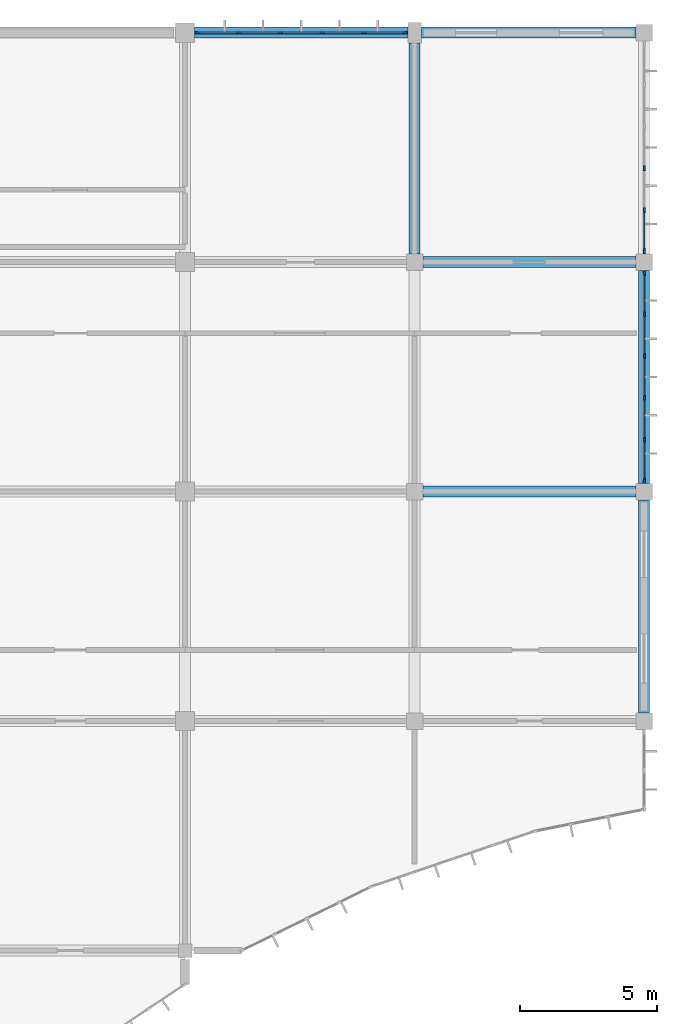
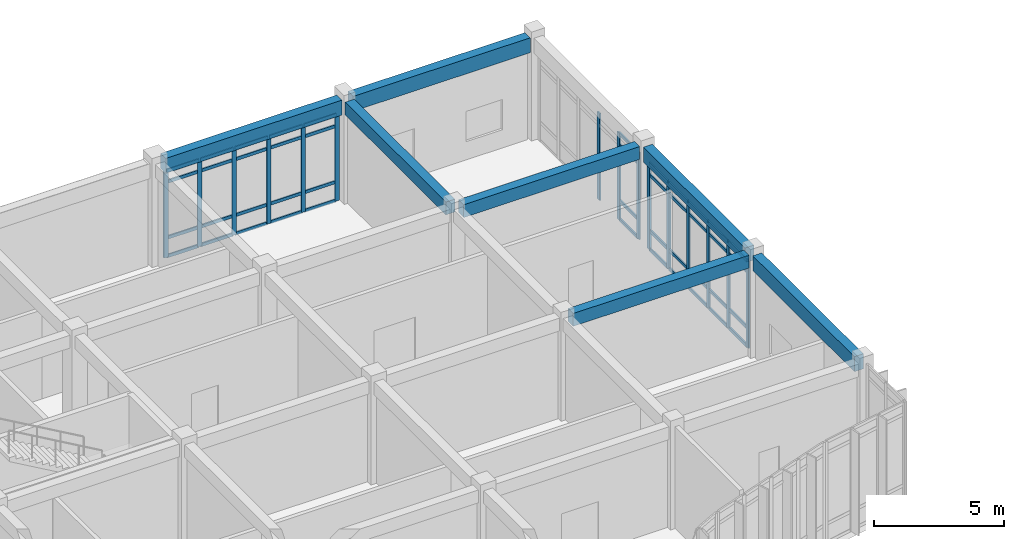
# One storey, part 64 of 134: 59 members, 7 beams, 3 elements without a shape of their own.
"""IFC4 building model written with IfcOpenShell, lengths in metres."""

from ifc_helpers import new_model, si_unit, direction, frame, origin, origin_2d, place, context, subcontext, project, spatial, rectangle, extrude, material, layer, layer_set, material_profile, profile_set, type_object, element, aggregate, save


model = new_model("IFC4")

# Units and contexts
model_context = context("Model", 3, precision=1e-05, world=origin(), true_north=direction((0.0, 1.0)))
body_context = subcontext(model_context, "Body", "Model", "MODEL_VIEW")
ifc_project = project(units=[si_unit("LENGTHUNIT", "METRE"), si_unit("AREAUNIT", "SQUARE_METRE"), si_unit("VOLUMEUNIT", "CUBIC_METRE"), si_unit("PLANEANGLEUNIT", "RADIAN"), si_unit("MASSUNIT", "GRAM", prefix="KILO")], contexts=[model_context])

# Site, building, storey
site_placement = place(None, origin())
site = spatial("IfcSite", under=ifc_project, at=site_placement, CompositionType="ELEMENT")
building_placement = place(site_placement, origin())
building = spatial("IfcBuilding", under=site, at=building_placement, Name="Bramfleet General Hospital", CompositionType="ELEMENT")
storey_placement = place(building_placement, frame((0.0, 0.0, 9.300048828125)))
storey = spatial("IfcBuildingStorey", under=building, at=storey_placement, Name="L02", CompositionType="ELEMENT", Elevation=9.300048828125)

# Beams
ifc_material_1 = material(Name="Concrete C35/45", Category="concrete")
ifc_material_profile_1 = material_profile(ifc_material_1, rectangle(XDim=0.39990234375, YDim=0.60009765625, at=origin_2d()), Name="RC BM 600x400")
ifc_profile_set_1 = profile_set([ifc_material_profile_1], Name="Concrete C35/45")
beam_type_1 = type_object("IfcBeamType", Name="BM-RC600", PredefinedType="BEAM", material=ifc_profile_set_1)
for number, where, z_axis, x_axis, name in (
    (1, (159.89990234375, 100.800048828125, 4.47998046875), (1.0, 0.0, 0.0), (0.0, 1.0, 0.0), "L02 Grid Beam X 19-12"),
    (2, (159.89990234375, 109.199951171875, 4.47998046875), (1.0, 0.0, 0.0), (0.0, 1.0, 0.0), "L02 Grid Beam X 19-13"),
):
    element("IfcBeam", number, at=place(storey_placement, frame(where, z_axis=z_axis, x_axis=x_axis)), inside=storey, type_object=beam_type_1, Name=name, PredefinedType="BEAM", context=body_context, shape_type="SweptSolid", body=[
        extrude(rectangle(XDim=0.39990234375, YDim=0.60009765625, at=origin_2d()), origin(), (0.0, 0.0, 1.0), 7.800048828125),
    ])
beam_1_placement = place(storey_placement, frame((159.60009765625, 109.5, 4.47998046875), z_axis=(0.0, 1.0, 0.0), x_axis=(-1.0, 0.0, 0.0)))
element("IfcBeam", 3, at=beam_1_placement, inside=storey, type_object=beam_type_1, Name="L02 Grid Beam Y 19-13", PredefinedType="BEAM", context=body_context, shape_type="SweptSolid", body=[
    extrude(rectangle(XDim=0.39990234375, YDim=0.60009765625, at=origin_2d()), origin(), (0.0, 0.0, 1.0), 7.72509765625),
])
ifc_material_profile_2 = material_profile(ifc_material_1, rectangle(XDim=0.39990234375, YDim=0.699951171875, at=origin_2d()), Name="RC SP 700x400")
ifc_profile_set_2 = profile_set([ifc_material_profile_2], Name="Concrete C35/45")
beam_type_2 = type_object("IfcBeamType", Name="BM-SP700", PredefinedType="SPANDREL", material=ifc_profile_set_2)
beam_2_placement = place(storey_placement, frame((151.550048828125, 117.60009765625, 4.429931640625), z_axis=(1.0, 0.0, 0.0), x_axis=(0.0, 1.0, 0.0)))
element("IfcBeam", 4, at=beam_2_placement, inside=storey, type_object=beam_type_2, Name="L02 Grid Beam X 18-14", PredefinedType="SPANDREL", context=body_context, shape_type="SweptSolid", body=[
    extrude(rectangle(XDim=0.39990234375, YDim=0.699951171875, at=origin_2d()), origin(), (0.0, 0.0, 1.0), 7.800048828125),
])
beam_3_placement = place(storey_placement, frame((159.85009765625, 117.60009765625, 4.429931640625), z_axis=(1.0, 0.0, 0.0), x_axis=(0.0, 1.0, 0.0)))
element("IfcBeam", 5, at=beam_3_placement, inside=storey, type_object=beam_type_2, Name="L02 Grid Beam X 19-14", PredefinedType="SPANDREL", context=body_context, shape_type="SweptSolid", body=[
    extrude(rectangle(XDim=0.39990234375, YDim=0.699951171875, at=origin_2d()), origin(), (0.0, 0.0, 1.0), 7.849853515625),
])
beam_4_placement = place(storey_placement, frame((168.0, 92.699951171875, 4.429931640625), z_axis=(0.0, 1.0, 0.0), x_axis=(-1.0, 0.0, 0.0)))
element("IfcBeam", 6, at=beam_4_placement, inside=storey, type_object=beam_type_2, Name="L02 Grid Beam Y 20-11", PredefinedType="SPANDREL", context=body_context, shape_type="SweptSolid", body=[
    extrude(rectangle(XDim=0.39990234375, YDim=0.699951171875, at=origin_2d()), origin(), (0.0, 0.0, 1.0), 7.800048828125),
])
beam_5_placement = place(storey_placement, frame((168.0, 101.10009765625, 4.429931640625), z_axis=(0.0, 1.0, 0.0), x_axis=(-1.0, 0.0, 0.0)))
element("IfcBeam", 7, at=beam_5_placement, inside=storey, type_object=beam_type_2, Name="L02 Grid Beam Y 20-12", PredefinedType="SPANDREL", context=body_context, shape_type="SweptSolid", body=[
    extrude(rectangle(XDim=0.39990234375, YDim=0.699951171875, at=origin_2d()), origin(), (0.0, 0.0, 1.0), 7.7998046875),
])

# Curtain wall, members
ifc_material_2 = material(Name="Anodised aluminium and low-E triple glazing", Category="aluminium")
ifc_layer_1 = layer(ifc_material_2, 0.179931640625, Name="CWT-CW-09")
ifc_layer_set_1 = layer_set([ifc_layer_1], Name="Anodised aluminium and low-E triple glazing")
curtain_wall_type_1 = type_object("IfcCurtainWallType", Name="CWT-CW-09", PredefinedType="USERDEFINED", material=ifc_layer_set_1)
curtain_wall_1_placement = place(storey_placement, origin())
curtain_wall_1 = element("IfcCurtainWall", 8, at=curtain_wall_1_placement, inside=storey, type_object=curtain_wall_type_1, Name="L02 Curtain Wall 99", ObjectType="Unitised curtain wall", PredefinedType="USERDEFINED")
ifc_material_3 = material(Name="Structural timber GL28h", Category="wood")
ifc_material_profile_3 = material_profile(ifc_material_3, rectangle(XDim=0.070068359375, YDim=0.18994140625, at=origin_2d()), Name="LARCH 190x70")
ifc_profile_set_3 = profile_set([ifc_material_profile_3], Name="Structural timber GL28h")
member_type_1 = type_object("IfcMemberType", Name="CWM-LARCH450", PredefinedType="MULLION", material=ifc_profile_set_3)
member_1_placement = place(storey_placement, frame((151.659912109375, 117.60009765625, 0.0), z_axis=(0.0, 0.0, 1.0), x_axis=(0.0, 1.0, 0.0)))
member_1 = element("IfcMember", 9, at=member_1_placement, type_object=member_type_1, Name="CW-09 mullion 1", PredefinedType="MULLION", context=body_context, shape_type="SweptSolid", body=[
    extrude(rectangle(XDim=0.070068359375, YDim=0.18994140625, at=origin_2d()), origin(), (0.0, 0.0, 1.0), 4.070068359375),
])
member_2_placement = place(storey_placement, frame((153.155029296875, 117.60009765625, 0.0), z_axis=(0.0, 0.0, 1.0), x_axis=(0.0, 1.0, 0.0)))
member_2 = element("IfcMember", 10, at=member_2_placement, type_object=member_type_1, Name="CW-09 mullion 2", PredefinedType="MULLION", context=body_context, shape_type="SweptSolid", body=[
    extrude(rectangle(XDim=0.070068359375, YDim=0.18994140625, at=origin_2d()), origin(), (0.0, 0.0, 1.0), 4.070068359375),
])
member_3_placement = place(storey_placement, frame((154.68505859375, 117.60009765625, 0.0), z_axis=(0.0, 0.0, 1.0), x_axis=(0.0, 1.0, 0.0)))
member_3 = element("IfcMember", 11, at=member_3_placement, type_object=member_type_1, Name="CW-09 mullion 3", PredefinedType="MULLION", context=body_context, shape_type="SweptSolid", body=[
    extrude(rectangle(XDim=0.070068359375, YDim=0.18994140625, at=origin_2d()), origin(), (0.0, 0.0, 1.0), 4.070068359375),
])
member_4_placement = place(storey_placement, frame((156.215087890625, 117.60009765625, 0.0), z_axis=(0.0, 0.0, 1.0), x_axis=(0.0, 1.0, 0.0)))
member_4 = element("IfcMember", 12, at=member_4_placement, type_object=member_type_1, Name="CW-09 mullion 4", PredefinedType="MULLION", context=body_context, shape_type="SweptSolid", body=[
    extrude(rectangle(XDim=0.070068359375, YDim=0.18994140625, at=origin_2d()), origin(), (0.0, 0.0, 1.0), 4.070068359375),
])
member_5_placement = place(storey_placement, frame((157.7451171875, 117.60009765625, 0.0), z_axis=(0.0, 0.0, 1.0), x_axis=(0.0, 1.0, 0.0)))
member_5 = element("IfcMember", 13, at=member_5_placement, type_object=member_type_1, Name="CW-09 mullion 5", PredefinedType="MULLION", context=body_context, shape_type="SweptSolid", body=[
    extrude(rectangle(XDim=0.070068359375, YDim=0.18994140625, at=origin_2d()), origin(), (0.0, 0.0, 1.0), 4.070068359375),
])
member_6_placement = place(storey_placement, frame((159.239990234375, 117.60009765625, 0.0), z_axis=(0.0, 0.0, 1.0), x_axis=(0.0, 1.0, 0.0)))
member_6 = element("IfcMember", 14, at=member_6_placement, type_object=member_type_1, Name="CW-09 mullion 6", PredefinedType="MULLION", context=body_context, shape_type="SweptSolid", body=[
    extrude(rectangle(XDim=0.070068359375, YDim=0.18994140625, at=origin_2d()), origin(), (0.0, 0.0, 1.0), 4.070068359375),
])

ifc_layer_2 = layer(ifc_material_2, 0.179931640625, Name="CWT-CW-10")
ifc_layer_set_2 = layer_set([ifc_layer_2], Name="Anodised aluminium and low-E triple glazing")
curtain_wall_type_2 = type_object("IfcCurtainWallType", Name="CWT-CW-10", PredefinedType="USERDEFINED", material=ifc_layer_set_2)
curtain_wall_2_placement = place(storey_placement, origin())
curtain_wall_2 = element("IfcCurtainWall", 15, at=curtain_wall_2_placement, inside=storey, type_object=curtain_wall_type_2, Name="L02 Curtain Wall 100", ObjectType="Stick curtain wall", PredefinedType="USERDEFINED")
member_7_placement = place(storey_placement, frame((168.0, 112.635009765625, 0.0), z_axis=(0.0, 0.0, 1.0), x_axis=(1.0, 0.0, 0.0)))
member_7 = element("IfcMember", 16, at=member_7_placement, type_object=member_type_1, Name="CW-10 mullion 4", PredefinedType="MULLION", context=body_context, shape_type="SweptSolid", body=[
    extrude(rectangle(XDim=0.070068359375, YDim=0.18994140625, at=origin_2d()), origin(), (0.0, 0.0, 1.0), 4.070068359375),
])
member_8_placement = place(storey_placement, frame((168.0, 111.10498046875, 0.0), z_axis=(0.0, 0.0, 1.0), x_axis=(1.0, 0.0, 0.0)))
member_8 = element("IfcMember", 17, at=member_8_placement, type_object=member_type_1, Name="CW-10 mullion 5", PredefinedType="MULLION", context=body_context, shape_type="SweptSolid", body=[
    extrude(rectangle(XDim=0.070068359375, YDim=0.18994140625, at=origin_2d()), origin(), (0.0, 0.0, 1.0), 4.070068359375),
])
member_9_placement = place(storey_placement, frame((168.0, 109.610107421875, 0.0), z_axis=(0.0, 0.0, 1.0), x_axis=(1.0, 0.0, 0.0)))
member_9 = element("IfcMember", 18, at=member_9_placement, type_object=member_type_1, Name="CW-10 mullion 6", PredefinedType="MULLION", context=body_context, shape_type="SweptSolid", body=[
    extrude(rectangle(XDim=0.070068359375, YDim=0.18994140625, at=origin_2d()), origin(), (0.0, 0.0, 1.0), 4.070068359375),
])

ifc_layer_3 = layer(ifc_material_2, 0.179931640625, Name="CWT-CW-11")
ifc_layer_set_3 = layer_set([ifc_layer_3], Name="Anodised aluminium and low-E triple glazing")
curtain_wall_type_3 = type_object("IfcCurtainWallType", Name="CWT-CW-11", PredefinedType="USERDEFINED", material=ifc_layer_set_3)
curtain_wall_3_placement = place(storey_placement, origin())
curtain_wall_3 = element("IfcCurtainWall", 19, at=curtain_wall_3_placement, inside=storey, type_object=curtain_wall_type_3, Name="L02 Curtain Wall 101", ObjectType="Stick curtain wall", PredefinedType="USERDEFINED")
member_10_placement = place(storey_placement, frame((168.0, 108.7900390625, 0.0), z_axis=(0.0, 0.0, 1.0), x_axis=(1.0, 0.0, 0.0)))
member_10 = element("IfcMember", 20, at=member_10_placement, type_object=member_type_1, Name="CW-11 mullion 1", PredefinedType="MULLION", context=body_context, shape_type="SweptSolid", body=[
    extrude(rectangle(XDim=0.070068359375, YDim=0.18994140625, at=origin_2d()), origin(), (0.0, 0.0, 1.0), 4.070068359375),
])
member_11_placement = place(storey_placement, frame((168.0, 107.294921875, 0.0), z_axis=(0.0, 0.0, 1.0), x_axis=(1.0, 0.0, 0.0)))
member_11 = element("IfcMember", 21, at=member_11_placement, type_object=member_type_1, Name="CW-11 mullion 2", PredefinedType="MULLION", context=body_context, shape_type="SweptSolid", body=[
    extrude(rectangle(XDim=0.070068359375, YDim=0.18994140625, at=origin_2d()), origin(), (0.0, 0.0, 1.0), 4.070068359375),
])
member_12_placement = place(storey_placement, frame((168.0, 105.764892578125, 0.0), z_axis=(0.0, 0.0, 1.0), x_axis=(1.0, 0.0, 0.0)))
member_12 = element("IfcMember", 22, at=member_12_placement, type_object=member_type_1, Name="CW-11 mullion 3", PredefinedType="MULLION", context=body_context, shape_type="SweptSolid", body=[
    extrude(rectangle(XDim=0.070068359375, YDim=0.18994140625, at=origin_2d()), origin(), (0.0, 0.0, 1.0), 4.070068359375),
])
member_13_placement = place(storey_placement, frame((168.0, 104.235107421875, 0.0), z_axis=(0.0, 0.0, 1.0), x_axis=(1.0, 0.0, 0.0)))
member_13 = element("IfcMember", 23, at=member_13_placement, type_object=member_type_1, Name="CW-11 mullion 4", PredefinedType="MULLION", context=body_context, shape_type="SweptSolid", body=[
    extrude(rectangle(XDim=0.070068359375, YDim=0.18994140625, at=origin_2d()), origin(), (0.0, 0.0, 1.0), 4.070068359375),
])
member_14_placement = place(storey_placement, frame((168.0, 102.705078125, 0.0), z_axis=(0.0, 0.0, 1.0), x_axis=(1.0, 0.0, 0.0)))
member_14 = element("IfcMember", 24, at=member_14_placement, type_object=member_type_1, Name="CW-11 mullion 5", PredefinedType="MULLION", context=body_context, shape_type="SweptSolid", body=[
    extrude(rectangle(XDim=0.070068359375, YDim=0.18994140625, at=origin_2d()), origin(), (0.0, 0.0, 1.0), 4.070068359375),
])
member_15_placement = place(storey_placement, frame((168.0, 101.2099609375, 0.0), z_axis=(0.0, 0.0, 1.0), x_axis=(1.0, 0.0, 0.0)))
member_15 = element("IfcMember", 25, at=member_15_placement, type_object=member_type_1, Name="CW-11 mullion 6", PredefinedType="MULLION", context=body_context, shape_type="SweptSolid", body=[
    extrude(rectangle(XDim=0.070068359375, YDim=0.18994140625, at=origin_2d()), origin(), (0.0, 0.0, 1.0), 4.070068359375),
])

# Member
ifc_material_profile_4 = material_profile(ifc_material_3, rectangle(XDim=0.06494140625, YDim=0.14990234375, at=origin_2d()), Name="LARCH 150x65")
ifc_profile_set_4 = profile_set([ifc_material_profile_4], Name="Structural timber GL28h")
member_type_2 = type_object("IfcMemberType", Name="CWT-LARCH220", PredefinedType="USERDEFINED", material=ifc_profile_set_4)
member_16_placement = place(storey_placement, frame((151.695068359375, 117.60009765625, 0.032470703125), z_axis=(1.0, 0.0, 0.0), x_axis=(0.0, 1.0, 0.0)))
member_16 = element("IfcMember", 26, at=member_16_placement, type_object=member_type_2, Name="CW-09 transom 1.1", ObjectType="TRANSOM", PredefinedType="USERDEFINED", context=body_context, shape_type="SweptSolid", body=[
    extrude(rectangle(XDim=0.06494140625, YDim=0.14990234375, at=origin_2d()), origin(), (0.0, 0.0, 1.0), 1.425048828125),
])

member_17_placement = place(storey_placement, frame((151.695068359375, 117.60009765625, 0.89990234375), z_axis=(1.0, 0.0, 0.0), x_axis=(0.0, 1.0, 0.0)))
member_17 = element("IfcMember", 27, at=member_17_placement, type_object=member_type_2, Name="CW-09 transom 1.2", ObjectType="TRANSOM", PredefinedType="USERDEFINED", context=body_context, shape_type="SweptSolid", body=[
    extrude(rectangle(XDim=0.06494140625, YDim=0.14990234375, at=origin_2d()), origin(), (0.0, 0.0, 1.0), 1.425048828125),
])

member_18_placement = place(storey_placement, frame((151.695068359375, 117.60009765625, 3.52001953125), z_axis=(1.0, 0.0, 0.0), x_axis=(0.0, 1.0, 0.0)))
member_18 = element("IfcMember", 28, at=member_18_placement, type_object=member_type_2, Name="CW-09 transom 1.3", ObjectType="TRANSOM", PredefinedType="USERDEFINED", context=body_context, shape_type="SweptSolid", body=[
    extrude(rectangle(XDim=0.06494140625, YDim=0.14990234375, at=origin_2d()), origin(), (0.0, 0.0, 1.0), 1.425048828125),
])

member_19_placement = place(storey_placement, frame((151.695068359375, 117.60009765625, 4.037353515625), z_axis=(1.0, 0.0, 0.0), x_axis=(0.0, 1.0, 0.0)))
member_19 = element("IfcMember", 29, at=member_19_placement, type_object=member_type_2, Name="CW-09 transom 1.4", ObjectType="TRANSOM", PredefinedType="USERDEFINED", context=body_context, shape_type="SweptSolid", body=[
    extrude(rectangle(XDim=0.06494140625, YDim=0.14990234375, at=origin_2d()), origin(), (0.0, 0.0, 1.0), 1.425048828125),
])

member_20_placement = place(storey_placement, frame((153.18994140625, 117.60009765625, 0.032470703125), z_axis=(1.0, 0.0, 0.0), x_axis=(0.0, 1.0, 0.0)))
member_20 = element("IfcMember", 30, at=member_20_placement, type_object=member_type_2, Name="CW-09 transom 2.1", ObjectType="TRANSOM", PredefinedType="USERDEFINED", context=body_context, shape_type="SweptSolid", body=[
    extrude(rectangle(XDim=0.06494140625, YDim=0.14990234375, at=origin_2d()), origin(), (0.0, 0.0, 1.0), 1.4599609375),
])

member_21_placement = place(storey_placement, frame((153.18994140625, 117.60009765625, 0.89990234375), z_axis=(1.0, 0.0, 0.0), x_axis=(0.0, 1.0, 0.0)))
member_21 = element("IfcMember", 31, at=member_21_placement, type_object=member_type_2, Name="CW-09 transom 2.2", ObjectType="TRANSOM", PredefinedType="USERDEFINED", context=body_context, shape_type="SweptSolid", body=[
    extrude(rectangle(XDim=0.06494140625, YDim=0.14990234375, at=origin_2d()), origin(), (0.0, 0.0, 1.0), 1.4599609375),
])

member_22_placement = place(storey_placement, frame((153.18994140625, 117.60009765625, 3.52001953125), z_axis=(1.0, 0.0, 0.0), x_axis=(0.0, 1.0, 0.0)))
member_22 = element("IfcMember", 32, at=member_22_placement, type_object=member_type_2, Name="CW-09 transom 2.3", ObjectType="TRANSOM", PredefinedType="USERDEFINED", context=body_context, shape_type="SweptSolid", body=[
    extrude(rectangle(XDim=0.06494140625, YDim=0.14990234375, at=origin_2d()), origin(), (0.0, 0.0, 1.0), 1.4599609375),
])

member_23_placement = place(storey_placement, frame((153.18994140625, 117.60009765625, 4.037353515625), z_axis=(1.0, 0.0, 0.0), x_axis=(0.0, 1.0, 0.0)))
member_23 = element("IfcMember", 33, at=member_23_placement, type_object=member_type_2, Name="CW-09 transom 2.4", ObjectType="TRANSOM", PredefinedType="USERDEFINED", context=body_context, shape_type="SweptSolid", body=[
    extrude(rectangle(XDim=0.06494140625, YDim=0.14990234375, at=origin_2d()), origin(), (0.0, 0.0, 1.0), 1.4599609375),
])

member_24_placement = place(storey_placement, frame((154.719970703125, 117.60009765625, 0.032470703125), z_axis=(1.0, 0.0, 0.0), x_axis=(0.0, 1.0, 0.0)))
member_24 = element("IfcMember", 34, at=member_24_placement, type_object=member_type_2, Name="CW-09 transom 3.1", ObjectType="TRANSOM", PredefinedType="USERDEFINED", context=body_context, shape_type="SweptSolid", body=[
    extrude(rectangle(XDim=0.06494140625, YDim=0.14990234375, at=origin_2d()), origin(), (0.0, 0.0, 1.0), 1.4599609375),
])

member_25_placement = place(storey_placement, frame((154.719970703125, 117.60009765625, 0.89990234375), z_axis=(1.0, 0.0, 0.0), x_axis=(0.0, 1.0, 0.0)))
member_25 = element("IfcMember", 35, at=member_25_placement, type_object=member_type_2, Name="CW-09 transom 3.2", ObjectType="TRANSOM", PredefinedType="USERDEFINED", context=body_context, shape_type="SweptSolid", body=[
    extrude(rectangle(XDim=0.06494140625, YDim=0.14990234375, at=origin_2d()), origin(), (0.0, 0.0, 1.0), 1.4599609375),
])

member_26_placement = place(storey_placement, frame((154.719970703125, 117.60009765625, 3.52001953125), z_axis=(1.0, 0.0, 0.0), x_axis=(0.0, 1.0, 0.0)))
member_26 = element("IfcMember", 36, at=member_26_placement, type_object=member_type_2, Name="CW-09 transom 3.3", ObjectType="TRANSOM", PredefinedType="USERDEFINED", context=body_context, shape_type="SweptSolid", body=[
    extrude(rectangle(XDim=0.06494140625, YDim=0.14990234375, at=origin_2d()), origin(), (0.0, 0.0, 1.0), 1.4599609375),
])

member_27_placement = place(storey_placement, frame((154.719970703125, 117.60009765625, 4.037353515625), z_axis=(1.0, 0.0, 0.0), x_axis=(0.0, 1.0, 0.0)))
member_27 = element("IfcMember", 37, at=member_27_placement, type_object=member_type_2, Name="CW-09 transom 3.4", ObjectType="TRANSOM", PredefinedType="USERDEFINED", context=body_context, shape_type="SweptSolid", body=[
    extrude(rectangle(XDim=0.06494140625, YDim=0.14990234375, at=origin_2d()), origin(), (0.0, 0.0, 1.0), 1.4599609375),
])

member_28_placement = place(storey_placement, frame((156.25, 117.60009765625, 0.032470703125), z_axis=(1.0, 0.0, 0.0), x_axis=(0.0, 1.0, 0.0)))
member_28 = element("IfcMember", 38, at=member_28_placement, type_object=member_type_2, Name="CW-09 transom 4.1", ObjectType="TRANSOM", PredefinedType="USERDEFINED", context=body_context, shape_type="SweptSolid", body=[
    extrude(rectangle(XDim=0.06494140625, YDim=0.14990234375, at=origin_2d()), origin(), (0.0, 0.0, 1.0), 1.4599609375),
])

member_29_placement = place(storey_placement, frame((156.25, 117.60009765625, 0.89990234375), z_axis=(1.0, 0.0, 0.0), x_axis=(0.0, 1.0, 0.0)))
member_29 = element("IfcMember", 39, at=member_29_placement, type_object=member_type_2, Name="CW-09 transom 4.2", ObjectType="TRANSOM", PredefinedType="USERDEFINED", context=body_context, shape_type="SweptSolid", body=[
    extrude(rectangle(XDim=0.06494140625, YDim=0.14990234375, at=origin_2d()), origin(), (0.0, 0.0, 1.0), 1.4599609375),
])

member_30_placement = place(storey_placement, frame((156.25, 117.60009765625, 3.52001953125), z_axis=(1.0, 0.0, 0.0), x_axis=(0.0, 1.0, 0.0)))
member_30 = element("IfcMember", 40, at=member_30_placement, type_object=member_type_2, Name="CW-09 transom 4.3", ObjectType="TRANSOM", PredefinedType="USERDEFINED", context=body_context, shape_type="SweptSolid", body=[
    extrude(rectangle(XDim=0.06494140625, YDim=0.14990234375, at=origin_2d()), origin(), (0.0, 0.0, 1.0), 1.4599609375),
])

member_31_placement = place(storey_placement, frame((156.25, 117.60009765625, 4.037353515625), z_axis=(1.0, 0.0, 0.0), x_axis=(0.0, 1.0, 0.0)))
member_31 = element("IfcMember", 41, at=member_31_placement, type_object=member_type_2, Name="CW-09 transom 4.4", ObjectType="TRANSOM", PredefinedType="USERDEFINED", context=body_context, shape_type="SweptSolid", body=[
    extrude(rectangle(XDim=0.06494140625, YDim=0.14990234375, at=origin_2d()), origin(), (0.0, 0.0, 1.0), 1.4599609375),
])

member_32_placement = place(storey_placement, frame((157.780029296875, 117.60009765625, 0.032470703125), z_axis=(1.0, 0.0, 0.0), x_axis=(0.0, 1.0, 0.0)))
member_32 = element("IfcMember", 42, at=member_32_placement, type_object=member_type_2, Name="CW-09 transom 5.1", ObjectType="TRANSOM", PredefinedType="USERDEFINED", context=body_context, shape_type="SweptSolid", body=[
    extrude(rectangle(XDim=0.06494140625, YDim=0.14990234375, at=origin_2d()), origin(), (0.0, 0.0, 1.0), 1.425048828125),
])

member_33_placement = place(storey_placement, frame((157.780029296875, 117.60009765625, 0.89990234375), z_axis=(1.0, 0.0, 0.0), x_axis=(0.0, 1.0, 0.0)))
member_33 = element("IfcMember", 43, at=member_33_placement, type_object=member_type_2, Name="CW-09 transom 5.2", ObjectType="TRANSOM", PredefinedType="USERDEFINED", context=body_context, shape_type="SweptSolid", body=[
    extrude(rectangle(XDim=0.06494140625, YDim=0.14990234375, at=origin_2d()), origin(), (0.0, 0.0, 1.0), 1.425048828125),
])

member_34_placement = place(storey_placement, frame((157.780029296875, 117.60009765625, 3.52001953125), z_axis=(1.0, 0.0, 0.0), x_axis=(0.0, 1.0, 0.0)))
member_34 = element("IfcMember", 44, at=member_34_placement, type_object=member_type_2, Name="CW-09 transom 5.3", ObjectType="TRANSOM", PredefinedType="USERDEFINED", context=body_context, shape_type="SweptSolid", body=[
    extrude(rectangle(XDim=0.06494140625, YDim=0.14990234375, at=origin_2d()), origin(), (0.0, 0.0, 1.0), 1.425048828125),
])

member_35_placement = place(storey_placement, frame((157.780029296875, 117.60009765625, 4.037353515625), z_axis=(1.0, 0.0, 0.0), x_axis=(0.0, 1.0, 0.0)))
member_35 = element("IfcMember", 45, at=member_35_placement, type_object=member_type_2, Name="CW-09 transom 5.4", ObjectType="TRANSOM", PredefinedType="USERDEFINED", context=body_context, shape_type="SweptSolid", body=[
    extrude(rectangle(XDim=0.06494140625, YDim=0.14990234375, at=origin_2d()), origin(), (0.0, 0.0, 1.0), 1.425048828125),
])

aggregate(curtain_wall_1, [member_1, member_2, member_3, member_4, member_5, member_6, member_16, member_17, member_18, member_19, member_20, member_21, member_22, member_23, member_24, member_25, member_26, member_27, member_28, member_29, member_30, member_31, member_32, member_33, member_34, member_35])

member_36_placement = place(storey_placement, frame((168.0, 111.070068359375, 0.032470703125), z_axis=(0.0, -1.0, 0.0), x_axis=(1.0, 0.0, 0.0)))
member_36 = element("IfcMember", 46, at=member_36_placement, type_object=member_type_2, Name="CW-10 transom 5.1", ObjectType="TRANSOM", PredefinedType="USERDEFINED", context=body_context, shape_type="SweptSolid", body=[
    extrude(rectangle(XDim=0.06494140625, YDim=0.14990234375, at=origin_2d()), origin(), (0.0, 0.0, 1.0), 1.425048828125),
])

member_37_placement = place(storey_placement, frame((168.0, 111.070068359375, 0.89990234375), z_axis=(0.0, -1.0, 0.0), x_axis=(1.0, 0.0, 0.0)))
member_37 = element("IfcMember", 47, at=member_37_placement, type_object=member_type_2, Name="CW-10 transom 5.2", ObjectType="TRANSOM", PredefinedType="USERDEFINED", context=body_context, shape_type="SweptSolid", body=[
    extrude(rectangle(XDim=0.06494140625, YDim=0.14990234375, at=origin_2d()), origin(), (0.0, 0.0, 1.0), 1.425048828125),
])

member_38_placement = place(storey_placement, frame((168.0, 111.070068359375, 3.52001953125), z_axis=(0.0, -1.0, 0.0), x_axis=(1.0, 0.0, 0.0)))
member_38 = element("IfcMember", 48, at=member_38_placement, type_object=member_type_2, Name="CW-10 transom 5.3", ObjectType="TRANSOM", PredefinedType="USERDEFINED", context=body_context, shape_type="SweptSolid", body=[
    extrude(rectangle(XDim=0.06494140625, YDim=0.14990234375, at=origin_2d()), origin(), (0.0, 0.0, 1.0), 1.425048828125),
])

member_39_placement = place(storey_placement, frame((168.0, 111.070068359375, 4.037353515625), z_axis=(0.0, -1.0, 0.0), x_axis=(1.0, 0.0, 0.0)))
member_39 = element("IfcMember", 49, at=member_39_placement, type_object=member_type_2, Name="CW-10 transom 5.4", ObjectType="TRANSOM", PredefinedType="USERDEFINED", context=body_context, shape_type="SweptSolid", body=[
    extrude(rectangle(XDim=0.06494140625, YDim=0.14990234375, at=origin_2d()), origin(), (0.0, 0.0, 1.0), 1.425048828125),
])

aggregate(curtain_wall_2, [member_7, member_8, member_9, member_36, member_37, member_38, member_39])

member_40_placement = place(storey_placement, frame((168.0, 108.7548828125, 0.032470703125), z_axis=(0.0, -1.0, 0.0), x_axis=(1.0, 0.0, 0.0)))
member_40 = element("IfcMember", 50, at=member_40_placement, type_object=member_type_2, Name="CW-11 transom 1.1", ObjectType="TRANSOM", PredefinedType="USERDEFINED", context=body_context, shape_type="SweptSolid", body=[
    extrude(rectangle(XDim=0.06494140625, YDim=0.14990234375, at=origin_2d()), origin(), (0.0, 0.0, 1.0), 1.4248046875),
])

member_41_placement = place(storey_placement, frame((168.0, 108.7548828125, 0.89990234375), z_axis=(0.0, -1.0, 0.0), x_axis=(1.0, 0.0, 0.0)))
member_41 = element("IfcMember", 51, at=member_41_placement, type_object=member_type_2, Name="CW-11 transom 1.2", ObjectType="TRANSOM", PredefinedType="USERDEFINED", context=body_context, shape_type="SweptSolid", body=[
    extrude(rectangle(XDim=0.06494140625, YDim=0.14990234375, at=origin_2d()), origin(), (0.0, 0.0, 1.0), 1.4248046875),
])

member_42_placement = place(storey_placement, frame((168.0, 108.7548828125, 3.52001953125), z_axis=(0.0, -1.0, 0.0), x_axis=(1.0, 0.0, 0.0)))
member_42 = element("IfcMember", 52, at=member_42_placement, type_object=member_type_2, Name="CW-11 transom 1.3", ObjectType="TRANSOM", PredefinedType="USERDEFINED", context=body_context, shape_type="SweptSolid", body=[
    extrude(rectangle(XDim=0.06494140625, YDim=0.14990234375, at=origin_2d()), origin(), (0.0, 0.0, 1.0), 1.4248046875),
])

member_43_placement = place(storey_placement, frame((168.0, 108.7548828125, 4.037353515625), z_axis=(0.0, -1.0, 0.0), x_axis=(1.0, 0.0, 0.0)))
member_43 = element("IfcMember", 53, at=member_43_placement, type_object=member_type_2, Name="CW-11 transom 1.4", ObjectType="TRANSOM", PredefinedType="USERDEFINED", context=body_context, shape_type="SweptSolid", body=[
    extrude(rectangle(XDim=0.06494140625, YDim=0.14990234375, at=origin_2d()), origin(), (0.0, 0.0, 1.0), 1.4248046875),
])

member_44_placement = place(storey_placement, frame((168.0, 107.260009765625, 0.032470703125), z_axis=(0.0, -1.0, 0.0), x_axis=(1.0, 0.0, 0.0)))
member_44 = element("IfcMember", 54, at=member_44_placement, type_object=member_type_2, Name="CW-11 transom 2.1", ObjectType="TRANSOM", PredefinedType="USERDEFINED", context=body_context, shape_type="SweptSolid", body=[
    extrude(rectangle(XDim=0.06494140625, YDim=0.14990234375, at=origin_2d()), origin(), (0.0, 0.0, 1.0), 1.4599609375),
])

member_45_placement = place(storey_placement, frame((168.0, 107.260009765625, 0.89990234375), z_axis=(0.0, -1.0, 0.0), x_axis=(1.0, 0.0, 0.0)))
member_45 = element("IfcMember", 55, at=member_45_placement, type_object=member_type_2, Name="CW-11 transom 2.2", ObjectType="TRANSOM", PredefinedType="USERDEFINED", context=body_context, shape_type="SweptSolid", body=[
    extrude(rectangle(XDim=0.06494140625, YDim=0.14990234375, at=origin_2d()), origin(), (0.0, 0.0, 1.0), 1.4599609375),
])

member_46_placement = place(storey_placement, frame((168.0, 107.260009765625, 3.52001953125), z_axis=(0.0, -1.0, 0.0), x_axis=(1.0, 0.0, 0.0)))
member_46 = element("IfcMember", 56, at=member_46_placement, type_object=member_type_2, Name="CW-11 transom 2.3", ObjectType="TRANSOM", PredefinedType="USERDEFINED", context=body_context, shape_type="SweptSolid", body=[
    extrude(rectangle(XDim=0.06494140625, YDim=0.14990234375, at=origin_2d()), origin(), (0.0, 0.0, 1.0), 1.4599609375),
])

member_47_placement = place(storey_placement, frame((168.0, 107.260009765625, 4.037353515625), z_axis=(0.0, -1.0, 0.0), x_axis=(1.0, 0.0, 0.0)))
member_47 = element("IfcMember", 57, at=member_47_placement, type_object=member_type_2, Name="CW-11 transom 2.4", ObjectType="TRANSOM", PredefinedType="USERDEFINED", context=body_context, shape_type="SweptSolid", body=[
    extrude(rectangle(XDim=0.06494140625, YDim=0.14990234375, at=origin_2d()), origin(), (0.0, 0.0, 1.0), 1.4599609375),
])

member_48_placement = place(storey_placement, frame((168.0, 105.72998046875, 0.032470703125), z_axis=(0.0, -1.0, 0.0), x_axis=(1.0, 0.0, 0.0)))
member_48 = element("IfcMember", 58, at=member_48_placement, type_object=member_type_2, Name="CW-11 transom 3.1", ObjectType="TRANSOM", PredefinedType="USERDEFINED", context=body_context, shape_type="SweptSolid", body=[
    extrude(rectangle(XDim=0.06494140625, YDim=0.14990234375, at=origin_2d()), origin(), (0.0, 0.0, 1.0), 1.4599609375),
])

member_49_placement = place(storey_placement, frame((168.0, 105.72998046875, 0.89990234375), z_axis=(0.0, -1.0, 0.0), x_axis=(1.0, 0.0, 0.0)))
member_49 = element("IfcMember", 59, at=member_49_placement, type_object=member_type_2, Name="CW-11 transom 3.2", ObjectType="TRANSOM", PredefinedType="USERDEFINED", context=body_context, shape_type="SweptSolid", body=[
    extrude(rectangle(XDim=0.06494140625, YDim=0.14990234375, at=origin_2d()), origin(), (0.0, 0.0, 1.0), 1.4599609375),
])

member_50_placement = place(storey_placement, frame((168.0, 105.72998046875, 3.52001953125), z_axis=(0.0, -1.0, 0.0), x_axis=(1.0, 0.0, 0.0)))
member_50 = element("IfcMember", 60, at=member_50_placement, type_object=member_type_2, Name="CW-11 transom 3.3", ObjectType="TRANSOM", PredefinedType="USERDEFINED", context=body_context, shape_type="SweptSolid", body=[
    extrude(rectangle(XDim=0.06494140625, YDim=0.14990234375, at=origin_2d()), origin(), (0.0, 0.0, 1.0), 1.4599609375),
])

member_51_placement = place(storey_placement, frame((168.0, 105.72998046875, 4.037353515625), z_axis=(0.0, -1.0, 0.0), x_axis=(1.0, 0.0, 0.0)))
member_51 = element("IfcMember", 61, at=member_51_placement, type_object=member_type_2, Name="CW-11 transom 3.4", ObjectType="TRANSOM", PredefinedType="USERDEFINED", context=body_context, shape_type="SweptSolid", body=[
    extrude(rectangle(XDim=0.06494140625, YDim=0.14990234375, at=origin_2d()), origin(), (0.0, 0.0, 1.0), 1.4599609375),
])

member_52_placement = place(storey_placement, frame((168.0, 104.199951171875, 0.032470703125), z_axis=(0.0, -1.0, 0.0), x_axis=(1.0, 0.0, 0.0)))
member_52 = element("IfcMember", 62, at=member_52_placement, type_object=member_type_2, Name="CW-11 transom 4.1", ObjectType="TRANSOM", PredefinedType="USERDEFINED", context=body_context, shape_type="SweptSolid", body=[
    extrude(rectangle(XDim=0.06494140625, YDim=0.14990234375, at=origin_2d()), origin(), (0.0, 0.0, 1.0), 1.4599609375),
])

member_53_placement = place(storey_placement, frame((168.0, 104.199951171875, 0.89990234375), z_axis=(0.0, -1.0, 0.0), x_axis=(1.0, 0.0, 0.0)))
member_53 = element("IfcMember", 63, at=member_53_placement, type_object=member_type_2, Name="CW-11 transom 4.2", ObjectType="TRANSOM", PredefinedType="USERDEFINED", context=body_context, shape_type="SweptSolid", body=[
    extrude(rectangle(XDim=0.06494140625, YDim=0.14990234375, at=origin_2d()), origin(), (0.0, 0.0, 1.0), 1.4599609375),
])

member_54_placement = place(storey_placement, frame((168.0, 104.199951171875, 3.52001953125), z_axis=(0.0, -1.0, 0.0), x_axis=(1.0, 0.0, 0.0)))
member_54 = element("IfcMember", 64, at=member_54_placement, type_object=member_type_2, Name="CW-11 transom 4.3", ObjectType="TRANSOM", PredefinedType="USERDEFINED", context=body_context, shape_type="SweptSolid", body=[
    extrude(rectangle(XDim=0.06494140625, YDim=0.14990234375, at=origin_2d()), origin(), (0.0, 0.0, 1.0), 1.4599609375),
])

member_55_placement = place(storey_placement, frame((168.0, 104.199951171875, 4.037353515625), z_axis=(0.0, -1.0, 0.0), x_axis=(1.0, 0.0, 0.0)))
member_55 = element("IfcMember", 65, at=member_55_placement, type_object=member_type_2, Name="CW-11 transom 4.4", ObjectType="TRANSOM", PredefinedType="USERDEFINED", context=body_context, shape_type="SweptSolid", body=[
    extrude(rectangle(XDim=0.06494140625, YDim=0.14990234375, at=origin_2d()), origin(), (0.0, 0.0, 1.0), 1.4599609375),
])

member_56_placement = place(storey_placement, frame((168.0, 102.669921875, 0.032470703125), z_axis=(0.0, -1.0, 0.0), x_axis=(1.0, 0.0, 0.0)))
member_56 = element("IfcMember", 66, at=member_56_placement, type_object=member_type_2, Name="CW-11 transom 5.1", ObjectType="TRANSOM", PredefinedType="USERDEFINED", context=body_context, shape_type="SweptSolid", body=[
    extrude(rectangle(XDim=0.06494140625, YDim=0.14990234375, at=origin_2d()), origin(), (0.0, 0.0, 1.0), 1.4248046875),
])

member_57_placement = place(storey_placement, frame((168.0, 102.669921875, 0.89990234375), z_axis=(0.0, -1.0, 0.0), x_axis=(1.0, 0.0, 0.0)))
member_57 = element("IfcMember", 67, at=member_57_placement, type_object=member_type_2, Name="CW-11 transom 5.2", ObjectType="TRANSOM", PredefinedType="USERDEFINED", context=body_context, shape_type="SweptSolid", body=[
    extrude(rectangle(XDim=0.06494140625, YDim=0.14990234375, at=origin_2d()), origin(), (0.0, 0.0, 1.0), 1.4248046875),
])

member_58_placement = place(storey_placement, frame((168.0, 102.669921875, 3.52001953125), z_axis=(0.0, -1.0, 0.0), x_axis=(1.0, 0.0, 0.0)))
member_58 = element("IfcMember", 68, at=member_58_placement, type_object=member_type_2, Name="CW-11 transom 5.3", ObjectType="TRANSOM", PredefinedType="USERDEFINED", context=body_context, shape_type="SweptSolid", body=[
    extrude(rectangle(XDim=0.06494140625, YDim=0.14990234375, at=origin_2d()), origin(), (0.0, 0.0, 1.0), 1.4248046875),
])

member_59_placement = place(storey_placement, frame((168.0, 102.669921875, 4.037353515625), z_axis=(0.0, -1.0, 0.0), x_axis=(1.0, 0.0, 0.0)))
member_59 = element("IfcMember", 69, at=member_59_placement, type_object=member_type_2, Name="CW-11 transom 5.4", ObjectType="TRANSOM", PredefinedType="USERDEFINED", context=body_context, shape_type="SweptSolid", body=[
    extrude(rectangle(XDim=0.06494140625, YDim=0.14990234375, at=origin_2d()), origin(), (0.0, 0.0, 1.0), 1.4248046875),
])

aggregate(curtain_wall_3, [member_10, member_11, member_12, member_13, member_14, member_15, member_40, member_41, member_42, member_43, member_44, member_45, member_46, member_47, member_48, member_49, member_50, member_51, member_52, member_53, member_54, member_55, member_56, member_57, member_58, member_59])

save(model, "model.ifc")
